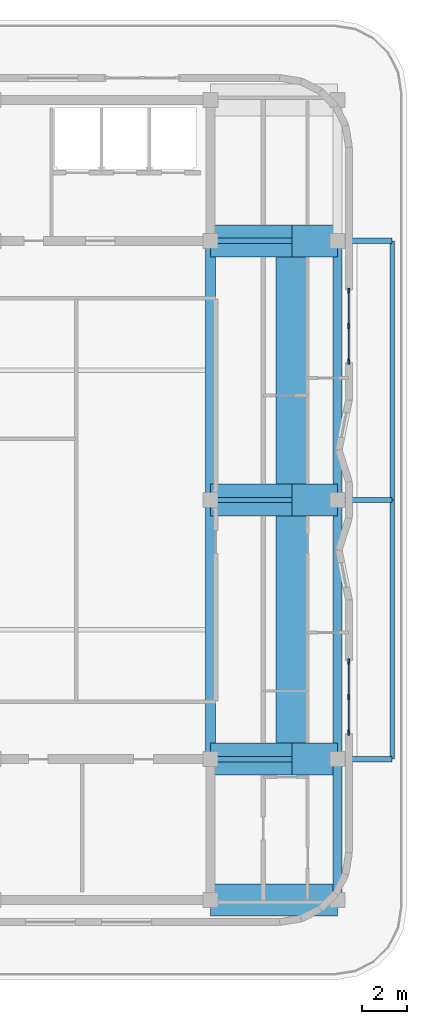
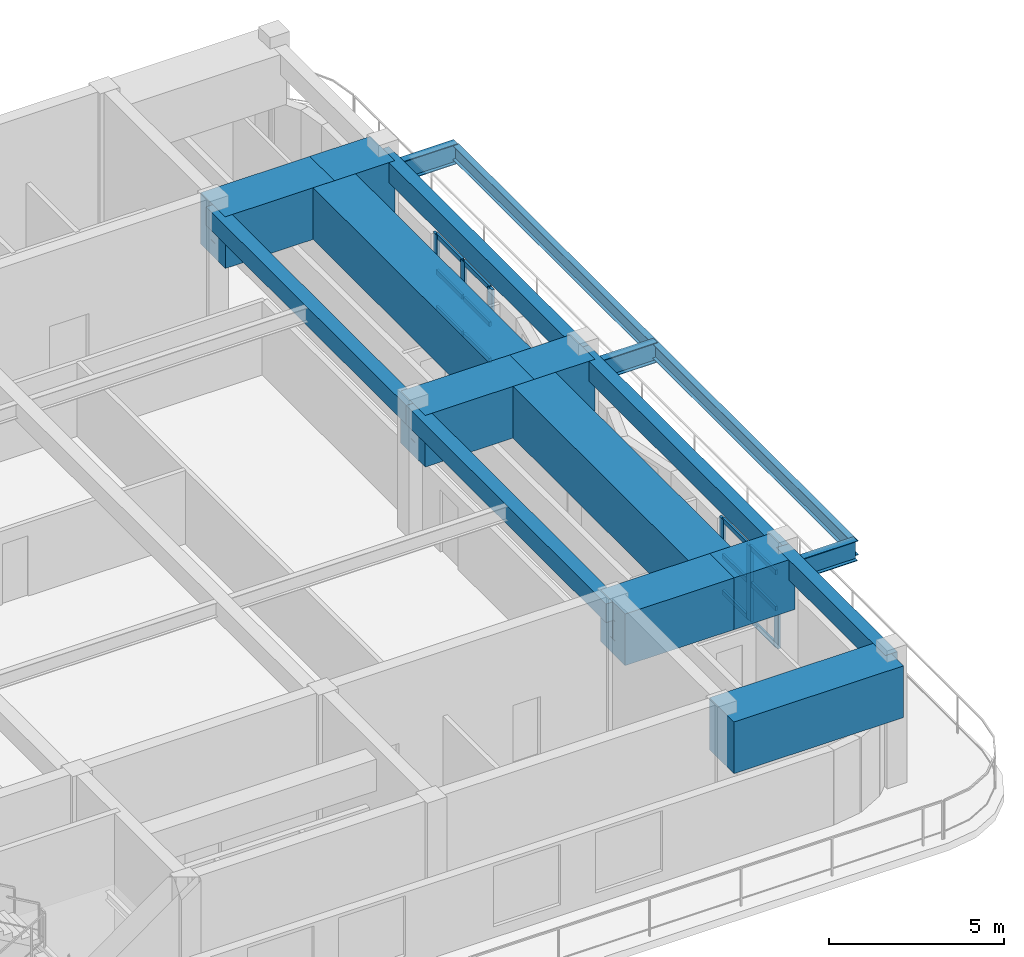
# One storey, part 3 of 12: 19 beams, 18 members, 2 elements without a shape of their own.
"""IFC4 building model written with IfcOpenShell, lengths in metres."""

from ifc_helpers import new_model, si_unit, direction, frame, origin, origin_2d, place, context, subcontext, project, spatial, rectangle, i_section, extrude, material, material_profile, profile_set, type_object, element, aggregate, save


model = new_model("IFC4")

# Units and contexts
model_context = context("Model", 3, precision=1e-05, world=origin(), true_north=direction((0.0, 1.0)))
body_context = subcontext(model_context, "Body", "Model", "MODEL_VIEW")
ifc_project = project(units=[si_unit("LENGTHUNIT", "METRE"), si_unit("AREAUNIT", "SQUARE_METRE"), si_unit("VOLUMEUNIT", "CUBIC_METRE"), si_unit("PLANEANGLEUNIT", "RADIAN"), si_unit("MASSUNIT", "GRAM", prefix="KILO")], contexts=[model_context])

# Site, building, storey
site_placement = place(None, origin())
site = spatial("IfcSite", under=ifc_project, at=site_placement, CompositionType="ELEMENT")
building_placement = place(site_placement, origin())
building = spatial("IfcBuilding", under=site, at=building_placement, Name="Svetorya Sky Lyceum", CompositionType="ELEMENT")
storey_placement = place(building_placement, frame((0.0, 0.0, 297.199951171875)))
storey = spatial("IfcBuildingStorey", under=building, at=storey_placement, Name="L75", CompositionType="ELEMENT", Elevation=297.199951171875)

# Beams
ifc_material_1 = material(Name="Concrete C40/50", Category="concrete")
ifc_material_profile_1 = material_profile(ifc_material_1, rectangle(XDim=0.449951171875, YDim=0.64990234375, at=origin_2d()), Name="RC BEAM 450x650")
ifc_profile_set_1 = profile_set([ifc_material_profile_1], Name="Concrete C40/50")
beam_type_1 = type_object("IfcBeamType", Name="BM-RC-650", PredefinedType="BEAM", material=ifc_profile_set_1)
beam_1_placement = place(storey_placement, frame((52.800048828125, 16.800048828125, 4.074951171875), z_axis=(0.0, 1.0, 0.0), x_axis=(-1.0, 0.0, 0.0)))
element("IfcBeam", 1, at=beam_1_placement, inside=storey, type_object=beam_type_1, Name="L75 Central Bay Primary Girder CG-4A", PredefinedType="BEAM", context=body_context, shape_type="SweptSolid", body=[
    extrude(rectangle(XDim=0.449951171875, YDim=0.64990234375, at=origin_2d()), origin(), (0.0, 0.0, 1.0), 11.39990234375),
])
beam_2_placement = place(storey_placement, frame((52.800048828125, 28.199951171875, 4.074951171875), z_axis=(0.0, 1.0, 0.0), x_axis=(-1.0, 0.0, 0.0)))
element("IfcBeam", 2, at=beam_2_placement, inside=storey, type_object=beam_type_1, Name="L75 Central Bay Primary Girder CG-4B", PredefinedType="BEAM", context=body_context, shape_type="SweptSolid", body=[
    extrude(rectangle(XDim=0.449951171875, YDim=0.64990234375, at=origin_2d()), origin(), (0.0, 0.0, 1.0), 11.400146484375),
])
ifc_material_2 = material(Name="Concrete C50/60", Category="concrete")
ifc_material_profile_2 = material_profile(ifc_material_2, rectangle(XDim=0.39990234375, YDim=0.699951171875, at=origin_2d()), Name="RC SPANDREL 400x700")
ifc_profile_set_2 = profile_set([ifc_material_profile_2], Name="Concrete C50/60")
beam_type_2 = type_object("IfcBeamType", Name="BM-SPN-700", PredefinedType="SPANDREL", material=ifc_profile_set_2)
beam_3_placement = place(storey_placement, frame((58.389892578125, 10.60009765625, 4.050048828125), z_axis=(0.0, 1.0, 0.0), x_axis=(-1.0, 0.0, 0.0)))
element("IfcBeam", 3, at=beam_3_placement, inside=storey, type_object=beam_type_2, Name="L75 East Spandrel 1", PredefinedType="SPANDREL", context=body_context, shape_type="SweptSolid", body=[
    extrude(rectangle(XDim=0.39990234375, YDim=0.699951171875, at=origin_2d()), origin(), (0.0, 0.0, 1.0), 6.199951171875),
])
beam_4_placement = place(storey_placement, frame((58.389892578125, 16.800048828125, 4.050048828125), z_axis=(0.0, 1.0, 0.0), x_axis=(-1.0, 0.0, 0.0)))
element("IfcBeam", 4, at=beam_4_placement, inside=storey, type_object=beam_type_2, Name="L75 East Spandrel 2", PredefinedType="SPANDREL", context=body_context, shape_type="SweptSolid", body=[
    extrude(rectangle(XDim=0.39990234375, YDim=0.699951171875, at=origin_2d()), origin(), (0.0, 0.0, 1.0), 11.39990234375),
])
beam_5_placement = place(storey_placement, frame((58.389892578125, 28.199951171875, 4.050048828125), z_axis=(0.0, 1.0, 0.0), x_axis=(-1.0, 0.0, 0.0)))
element("IfcBeam", 5, at=beam_5_placement, inside=storey, type_object=beam_type_2, Name="L75 East Spandrel 3", PredefinedType="SPANDREL", context=body_context, shape_type="SweptSolid", body=[
    extrude(rectangle(XDim=0.39990234375, YDim=0.699951171875, at=origin_2d()), origin(), (0.0, 0.0, 1.0), 11.400146484375),
])
ifc_material_3 = material(Name="Steel S355", Category="steel")
ifc_material_profile_3 = material_profile(ifc_material_3, i_section(OverallWidth=0.198974609375, OverallDepth=0.498046875, WebThickness=0.010009765625, FlangeThickness=0.01611328125, at=origin_2d()), Name="GOST 50B2")
ifc_profile_set_3 = profile_set([ifc_material_profile_3], Name="Steel S355")
beam_type_3 = type_object("IfcBeamType", Name="BM-STL-50B2", PredefinedType="BEAM", material=ifc_profile_set_3)
beam_6_placement = place(storey_placement, frame((60.7900390625, 16.800048828125, 3.449951171875), z_axis=(0.0, 1.0, 0.0), x_axis=(-1.0, 0.0, 0.0)))
element("IfcBeam", 6, at=beam_6_placement, inside=storey, type_object=beam_type_3, Name="Orbital Canopy Edge Ring Beam E1", PredefinedType="BEAM", context=body_context, shape_type="SweptSolid", body=[
    extrude(i_section(OverallWidth=0.198974609375, OverallDepth=0.498046875, WebThickness=0.010009765625, FlangeThickness=0.01611328125, at=origin_2d()), origin(), (0.0, 0.0, 1.0), 11.39990234375),
])
beam_7_placement = place(storey_placement, frame((60.7900390625, 28.199951171875, 3.449951171875), z_axis=(0.0, 1.0, 0.0), x_axis=(-1.0, 0.0, 0.0)))
element("IfcBeam", 7, at=beam_7_placement, inside=storey, type_object=beam_type_3, Name="Orbital Canopy Edge Ring Beam E2", PredefinedType="BEAM", context=body_context, shape_type="SweptSolid", body=[
    extrude(i_section(OverallWidth=0.198974609375, OverallDepth=0.498046875, WebThickness=0.010009765625, FlangeThickness=0.01611328125, at=origin_2d()), origin(), (0.0, 0.0, 1.0), 11.400146484375),
])
ifc_material_profile_4 = material_profile(ifc_material_3, i_section(OverallWidth=0.239990234375, OverallDepth=0.697998046875, WebThickness=0.013427734375, FlangeThickness=0.021484375, at=origin_2d()), Name="GOST 70B2")
ifc_profile_set_4 = profile_set([ifc_material_profile_4], Name="Steel S355")
beam_type_4 = type_object("IfcBeamType", Name="BM-STL-70B2", PredefinedType="BEAM", material=ifc_profile_set_4)
for number, where, z_axis, x_axis, name in (
    (8, (52.800048828125, 16.800048828125, 3.449951171875), (1.0, 0.0, 0.0), (0.0, 1.0, 0.0), "Orbital Canopy Backspanned Girder E1"),
    (9, (52.800048828125, 28.199951171875, 3.449951171875), (1.0, 0.0, 0.0), (0.0, 1.0, 0.0), "Orbital Canopy Backspanned Girder E2"),
    (10, (52.800048828125, 39.60009765625, 3.449951171875), (1.0, 0.0, 0.0), (0.0, 1.0, 0.0), "Orbital Canopy Backspanned Girder E3"),
):
    element("IfcBeam", number, at=place(storey_placement, frame(where, z_axis=z_axis, x_axis=x_axis)), inside=storey, type_object=beam_type_4, Name=name, PredefinedType="BEAM", context=body_context, shape_type="SweptSolid", body=[
        extrude(i_section(OverallWidth=0.239990234375, OverallDepth=0.697998046875, WebThickness=0.013427734375, FlangeThickness=0.021484375, at=origin_2d()), origin(), (0.0, 0.0, 1.0), 7.989990234375),
    ])
ifc_material_4 = material(Name="Concrete C60/75", Category="concrete")
ifc_material_profile_5 = material_profile(ifc_material_4, rectangle(XDim=1.39990234375, YDim=1.800048828125, at=origin_2d()), Name="RC TRANSFER 1400x1800")
ifc_profile_set_5 = profile_set([ifc_material_profile_5], Name="Concrete C60/75")
beam_type_5 = type_object("IfcBeamType", Name="BM-TRF-2200", PredefinedType="BEAM", material=ifc_profile_set_5)
beam_8_placement = place(storey_placement, frame((52.800048828125, 10.60009765625, 3.5), z_axis=(1.0, 0.0, 0.0), x_axis=(0.0, 1.0, 0.0)))
element("IfcBeam", 11, at=beam_8_placement, inside=storey, type_object=beam_type_5, Name="L75 East Edge Tie Girder 1", PredefinedType="BEAM", context=body_context, shape_type="SweptSolid", body=[
    extrude(rectangle(XDim=1.39990234375, YDim=1.800048828125, at=origin_2d()), origin(), (0.0, 0.0, 1.0), 5.58984375),
])
beam_9_placement = place(storey_placement, frame((52.800048828125, 16.800048828125, 3.5), z_axis=(1.0, 0.0, 0.0), x_axis=(0.0, 1.0, 0.0)))
element("IfcBeam", 12, at=beam_9_placement, inside=storey, type_object=beam_type_5, Name="L75 East Inner Transfer Girder 2", PredefinedType="BEAM", context=body_context, shape_type="SweptSolid", body=[
    extrude(rectangle(XDim=1.39990234375, YDim=1.800048828125, at=origin_2d()), origin(), (0.0, 0.0, 1.0), 3.58984375),
])
beam_10_placement = place(storey_placement, frame((56.389892578125, 16.800048828125, 3.5), z_axis=(1.0, 0.0, 0.0), x_axis=(0.0, 1.0, 0.0)))
element("IfcBeam", 13, at=beam_10_placement, inside=storey, type_object=beam_type_5, Name="L75 East Outer Transfer Girder 2", PredefinedType="BEAM", context=body_context, shape_type="SweptSolid", body=[
    extrude(rectangle(XDim=1.39990234375, YDim=1.800048828125, at=origin_2d()), origin(), (0.0, 0.0, 1.0), 2.0),
])
beam_11_placement = place(storey_placement, frame((52.800048828125, 28.199951171875, 3.5), z_axis=(1.0, 0.0, 0.0), x_axis=(0.0, 1.0, 0.0)))
element("IfcBeam", 14, at=beam_11_placement, inside=storey, type_object=beam_type_5, Name="L75 East Inner Transfer Girder 3", PredefinedType="BEAM", context=body_context, shape_type="SweptSolid", body=[
    extrude(rectangle(XDim=1.39990234375, YDim=1.800048828125, at=origin_2d()), origin(), (0.0, 0.0, 1.0), 3.58984375),
])
beam_12_placement = place(storey_placement, frame((56.389892578125, 28.199951171875, 3.5), z_axis=(1.0, 0.0, 0.0), x_axis=(0.0, 1.0, 0.0)))
element("IfcBeam", 15, at=beam_12_placement, inside=storey, type_object=beam_type_5, Name="L75 East Outer Transfer Girder 3", PredefinedType="BEAM", context=body_context, shape_type="SweptSolid", body=[
    extrude(rectangle(XDim=1.39990234375, YDim=1.800048828125, at=origin_2d()), origin(), (0.0, 0.0, 1.0), 2.0),
])
beam_13_placement = place(storey_placement, frame((52.800048828125, 39.60009765625, 3.5), z_axis=(1.0, 0.0, 0.0), x_axis=(0.0, 1.0, 0.0)))
element("IfcBeam", 16, at=beam_13_placement, inside=storey, type_object=beam_type_5, Name="L75 East Inner Transfer Girder 4", PredefinedType="BEAM", context=body_context, shape_type="SweptSolid", body=[
    extrude(rectangle(XDim=1.39990234375, YDim=1.800048828125, at=origin_2d()), origin(), (0.0, 0.0, 1.0), 3.58984375),
])
beam_14_placement = place(storey_placement, frame((56.389892578125, 39.60009765625, 3.5), z_axis=(1.0, 0.0, 0.0), x_axis=(0.0, 1.0, 0.0)))
element("IfcBeam", 17, at=beam_14_placement, inside=storey, type_object=beam_type_5, Name="L75 East Outer Transfer Girder 4", PredefinedType="BEAM", context=body_context, shape_type="SweptSolid", body=[
    extrude(rectangle(XDim=1.39990234375, YDim=1.800048828125, at=origin_2d()), origin(), (0.0, 0.0, 1.0), 2.0),
])
beam_15_placement = place(storey_placement, frame((56.389892578125, 16.800048828125, 3.5), z_axis=(0.0, 1.0, 0.0), x_axis=(-1.0, 0.0, 0.0)))
element("IfcBeam", 18, at=beam_15_placement, inside=storey, type_object=beam_type_5, Name="L75 East Setback Transfer Girder 1", PredefinedType="BEAM", context=body_context, shape_type="SweptSolid", body=[
    extrude(rectangle(XDim=1.39990234375, YDim=1.800048828125, at=origin_2d()), origin(), (0.0, 0.0, 1.0), 11.39990234375),
])
beam_16_placement = place(storey_placement, frame((56.389892578125, 28.199951171875, 3.5), z_axis=(0.0, 1.0, 0.0), x_axis=(-1.0, 0.0, 0.0)))
element("IfcBeam", 19, at=beam_16_placement, inside=storey, type_object=beam_type_5, Name="L75 East Setback Transfer Girder 2", PredefinedType="BEAM", context=body_context, shape_type="SweptSolid", body=[
    extrude(rectangle(XDim=1.39990234375, YDim=1.800048828125, at=origin_2d()), origin(), (0.0, 0.0, 1.0), 11.400146484375),
])

# Curtain wall, members
ifc_material_5 = material(Name="Thermally broken anodized aluminium and triple low-E glass", Category="aluminium")
curtain_wall_type = type_object("IfcCurtainWallType", Name="CW6-CRN-OBS", PredefinedType="NOTDEFINED", material=ifc_material_5)
curtain_wall_1_placement = place(storey_placement, origin())
curtain_wall_1 = element("IfcCurtainWall", 20, at=curtain_wall_1_placement, inside=storey, type_object=curtain_wall_type, Name="L75 Observatory Curtain Wall 12", PredefinedType="NOTDEFINED")
ifc_material_6 = material(Name="Thermally broken anodized aluminium EN AW-6060", Category="aluminium")
ifc_material_profile_6 = material_profile(ifc_material_6, rectangle(XDim=0.0849609375, YDim=0.239990234375, at=origin_2d()), Name="ALU MULLION 85x240")
ifc_profile_set_6 = profile_set([ifc_material_profile_6], Name="Thermally broken anodized aluminium EN AW-6060")
member_type_1 = type_object("IfcMemberType", Name="CWM-MUL-240", PredefinedType="MULLION", material=ifc_profile_set_6)
member_1_placement = place(storey_placement, frame((58.889892578125, 17.972412109375, 0.0), z_axis=(0.0, 0.0, 1.0), x_axis=(-1.0, 0.0, 0.0)))
member_1 = element("IfcMember", 21, at=member_1_placement, type_object=member_type_1, Name="CW-6 mullion 1", PredefinedType="MULLION", context=body_context, shape_type="SweptSolid", body=[
    extrude(rectangle(XDim=0.0849609375, YDim=0.239990234375, at=origin_2d()), origin(), (0.0, 0.0, 1.0), 2.60009765625),
])
member_2_placement = place(storey_placement, frame((58.889892578125, 19.530029296875, 0.0), z_axis=(0.0, 0.0, 1.0), x_axis=(-1.0, 0.0, 0.0)))
member_2 = element("IfcMember", 22, at=member_2_placement, type_object=member_type_1, Name="CW-6 mullion 2", PredefinedType="MULLION", context=body_context, shape_type="SweptSolid", body=[
    extrude(rectangle(XDim=0.0849609375, YDim=0.239990234375, at=origin_2d()), origin(), (0.0, 0.0, 1.0), 2.60009765625),
])
member_3_placement = place(storey_placement, frame((58.889892578125, 21.08740234375, 0.0), z_axis=(0.0, 0.0, 1.0), x_axis=(-1.0, 0.0, 0.0)))
member_3 = element("IfcMember", 23, at=member_3_placement, type_object=member_type_1, Name="CW-6 mullion 3", PredefinedType="MULLION", context=body_context, shape_type="SweptSolid", body=[
    extrude(rectangle(XDim=0.0849609375, YDim=0.239990234375, at=origin_2d()), origin(), (0.0, 0.0, 1.0), 2.60009765625),
])

curtain_wall_2_placement = place(storey_placement, origin())
curtain_wall_2 = element("IfcCurtainWall", 24, at=curtain_wall_2_placement, inside=storey, type_object=curtain_wall_type, Name="L75 Observatory Curtain Wall 18", PredefinedType="NOTDEFINED")
member_4_placement = place(storey_placement, frame((58.889892578125, 34.29248046875, 0.0), z_axis=(0.0, 0.0, 1.0), x_axis=(-1.0, 0.0, 0.0)))
member_4 = element("IfcMember", 25, at=member_4_placement, type_object=member_type_1, Name="CW-6 mullion 1", PredefinedType="MULLION", context=body_context, shape_type="SweptSolid", body=[
    extrude(rectangle(XDim=0.0849609375, YDim=0.239990234375, at=origin_2d()), origin(), (0.0, 0.0, 1.0), 2.60009765625),
])
member_5_placement = place(storey_placement, frame((58.889892578125, 35.85009765625, 0.0), z_axis=(0.0, 0.0, 1.0), x_axis=(-1.0, 0.0, 0.0)))
member_5 = element("IfcMember", 26, at=member_5_placement, type_object=member_type_1, Name="CW-6 mullion 2", PredefinedType="MULLION", context=body_context, shape_type="SweptSolid", body=[
    extrude(rectangle(XDim=0.0849609375, YDim=0.239990234375, at=origin_2d()), origin(), (0.0, 0.0, 1.0), 2.60009765625),
])
member_6_placement = place(storey_placement, frame((58.889892578125, 37.407470703125, 0.0), z_axis=(0.0, 0.0, 1.0), x_axis=(-1.0, 0.0, 0.0)))
member_6 = element("IfcMember", 27, at=member_6_placement, type_object=member_type_1, Name="CW-6 mullion 3", PredefinedType="MULLION", context=body_context, shape_type="SweptSolid", body=[
    extrude(rectangle(XDim=0.0849609375, YDim=0.239990234375, at=origin_2d()), origin(), (0.0, 0.0, 1.0), 2.60009765625),
])

# Member
ifc_material_profile_7 = material_profile(ifc_material_6, rectangle(XDim=0.074951171875, YDim=0.159912109375, at=origin_2d()), Name="ALU TRANSOM 75x160")
ifc_profile_set_7 = profile_set([ifc_material_profile_7], Name="Thermally broken anodized aluminium EN AW-6060")
member_type_2 = type_object("IfcMemberType", Name="CWM-TRN-160", PredefinedType="USERDEFINED", material=ifc_profile_set_7)
member_7_placement = place(storey_placement, frame((58.889892578125, 18.013427734375, 0.03759765625), z_axis=(0.0, 1.0, 0.0), x_axis=(-1.0, 0.0, 0.0)))
member_7 = element("IfcMember", 28, at=member_7_placement, type_object=member_type_2, Name="CW-6 transom 1.1", ObjectType="TRANSOM", PredefinedType="USERDEFINED", context=body_context, shape_type="SweptSolid", body=[
    extrude(rectangle(XDim=0.074951171875, YDim=0.159912109375, at=origin_2d()), origin(), (0.0, 0.0, 1.0), 1.4755859375),
])

member_8_placement = place(storey_placement, frame((58.889892578125, 18.013427734375, 1.300048828125), z_axis=(0.0, 1.0, 0.0), x_axis=(-1.0, 0.0, 0.0)))
member_8 = element("IfcMember", 29, at=member_8_placement, type_object=member_type_2, Name="CW-6 transom 1.2", ObjectType="TRANSOM", PredefinedType="USERDEFINED", context=body_context, shape_type="SweptSolid", body=[
    extrude(rectangle(XDim=0.074951171875, YDim=0.159912109375, at=origin_2d()), origin(), (0.0, 0.0, 1.0), 1.4755859375),
])

member_9_placement = place(storey_placement, frame((58.889892578125, 18.013427734375, 2.5625), z_axis=(0.0, 1.0, 0.0), x_axis=(-1.0, 0.0, 0.0)))
member_9 = element("IfcMember", 30, at=member_9_placement, type_object=member_type_2, Name="CW-6 transom 1.3", ObjectType="TRANSOM", PredefinedType="USERDEFINED", context=body_context, shape_type="SweptSolid", body=[
    extrude(rectangle(XDim=0.074951171875, YDim=0.159912109375, at=origin_2d()), origin(), (0.0, 0.0, 1.0), 1.4755859375),
])

member_10_placement = place(storey_placement, frame((58.889892578125, 19.571044921875, 0.03759765625), z_axis=(0.0, 1.0, 0.0), x_axis=(-1.0, 0.0, 0.0)))
member_10 = element("IfcMember", 31, at=member_10_placement, type_object=member_type_2, Name="CW-6 transom 2.1", ObjectType="TRANSOM", PredefinedType="USERDEFINED", context=body_context, shape_type="SweptSolid", body=[
    extrude(rectangle(XDim=0.074951171875, YDim=0.159912109375, at=origin_2d()), origin(), (0.0, 0.0, 1.0), 1.475341796875),
])

member_11_placement = place(storey_placement, frame((58.889892578125, 19.571044921875, 1.300048828125), z_axis=(0.0, 1.0, 0.0), x_axis=(-1.0, 0.0, 0.0)))
member_11 = element("IfcMember", 32, at=member_11_placement, type_object=member_type_2, Name="CW-6 transom 2.2", ObjectType="TRANSOM", PredefinedType="USERDEFINED", context=body_context, shape_type="SweptSolid", body=[
    extrude(rectangle(XDim=0.074951171875, YDim=0.159912109375, at=origin_2d()), origin(), (0.0, 0.0, 1.0), 1.475341796875),
])

member_12_placement = place(storey_placement, frame((58.889892578125, 19.571044921875, 2.5625), z_axis=(0.0, 1.0, 0.0), x_axis=(-1.0, 0.0, 0.0)))
member_12 = element("IfcMember", 33, at=member_12_placement, type_object=member_type_2, Name="CW-6 transom 2.3", ObjectType="TRANSOM", PredefinedType="USERDEFINED", context=body_context, shape_type="SweptSolid", body=[
    extrude(rectangle(XDim=0.074951171875, YDim=0.159912109375, at=origin_2d()), origin(), (0.0, 0.0, 1.0), 1.475341796875),
])

aggregate(curtain_wall_1, [member_1, member_2, member_3, member_7, member_8, member_9, member_10, member_11, member_12])

member_13_placement = place(storey_placement, frame((58.889892578125, 34.33349609375, 0.03759765625), z_axis=(0.0, 1.0, 0.0), x_axis=(-1.0, 0.0, 0.0)))
member_13 = element("IfcMember", 34, at=member_13_placement, type_object=member_type_2, Name="CW-6 transom 1.1", ObjectType="TRANSOM", PredefinedType="USERDEFINED", context=body_context, shape_type="SweptSolid", body=[
    extrude(rectangle(XDim=0.074951171875, YDim=0.159912109375, at=origin_2d()), origin(), (0.0, 0.0, 1.0), 1.4755859375),
])

member_14_placement = place(storey_placement, frame((58.889892578125, 34.33349609375, 1.300048828125), z_axis=(0.0, 1.0, 0.0), x_axis=(-1.0, 0.0, 0.0)))
member_14 = element("IfcMember", 35, at=member_14_placement, type_object=member_type_2, Name="CW-6 transom 1.2", ObjectType="TRANSOM", PredefinedType="USERDEFINED", context=body_context, shape_type="SweptSolid", body=[
    extrude(rectangle(XDim=0.074951171875, YDim=0.159912109375, at=origin_2d()), origin(), (0.0, 0.0, 1.0), 1.4755859375),
])

member_15_placement = place(storey_placement, frame((58.889892578125, 34.33349609375, 2.5625), z_axis=(0.0, 1.0, 0.0), x_axis=(-1.0, 0.0, 0.0)))
member_15 = element("IfcMember", 36, at=member_15_placement, type_object=member_type_2, Name="CW-6 transom 1.3", ObjectType="TRANSOM", PredefinedType="USERDEFINED", context=body_context, shape_type="SweptSolid", body=[
    extrude(rectangle(XDim=0.074951171875, YDim=0.159912109375, at=origin_2d()), origin(), (0.0, 0.0, 1.0), 1.4755859375),
])

member_16_placement = place(storey_placement, frame((58.889892578125, 35.89111328125, 0.03759765625), z_axis=(0.0, 1.0, 0.0), x_axis=(-1.0, 0.0, 0.0)))
member_16 = element("IfcMember", 37, at=member_16_placement, type_object=member_type_2, Name="CW-6 transom 2.1", ObjectType="TRANSOM", PredefinedType="USERDEFINED", context=body_context, shape_type="SweptSolid", body=[
    extrude(rectangle(XDim=0.074951171875, YDim=0.159912109375, at=origin_2d()), origin(), (0.0, 0.0, 1.0), 1.475341796875),
])

member_17_placement = place(storey_placement, frame((58.889892578125, 35.89111328125, 1.300048828125), z_axis=(0.0, 1.0, 0.0), x_axis=(-1.0, 0.0, 0.0)))
member_17 = element("IfcMember", 38, at=member_17_placement, type_object=member_type_2, Name="CW-6 transom 2.2", ObjectType="TRANSOM", PredefinedType="USERDEFINED", context=body_context, shape_type="SweptSolid", body=[
    extrude(rectangle(XDim=0.074951171875, YDim=0.159912109375, at=origin_2d()), origin(), (0.0, 0.0, 1.0), 1.475341796875),
])

member_18_placement = place(storey_placement, frame((58.889892578125, 35.89111328125, 2.5625), z_axis=(0.0, 1.0, 0.0), x_axis=(-1.0, 0.0, 0.0)))
member_18 = element("IfcMember", 39, at=member_18_placement, type_object=member_type_2, Name="CW-6 transom 2.3", ObjectType="TRANSOM", PredefinedType="USERDEFINED", context=body_context, shape_type="SweptSolid", body=[
    extrude(rectangle(XDim=0.074951171875, YDim=0.159912109375, at=origin_2d()), origin(), (0.0, 0.0, 1.0), 1.475341796875),
])

aggregate(curtain_wall_2, [member_4, member_5, member_6, member_13, member_14, member_15, member_16, member_17, member_18])

save(model, "model.ifc")
